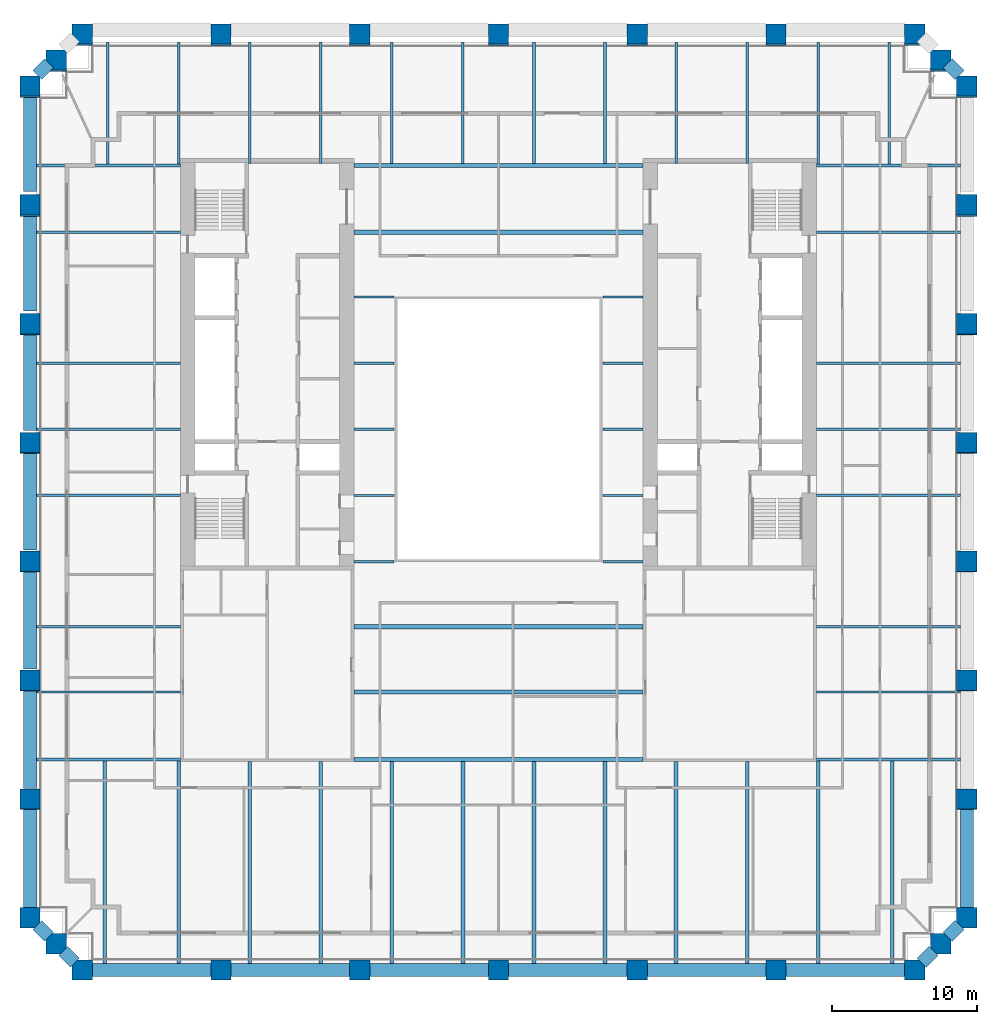
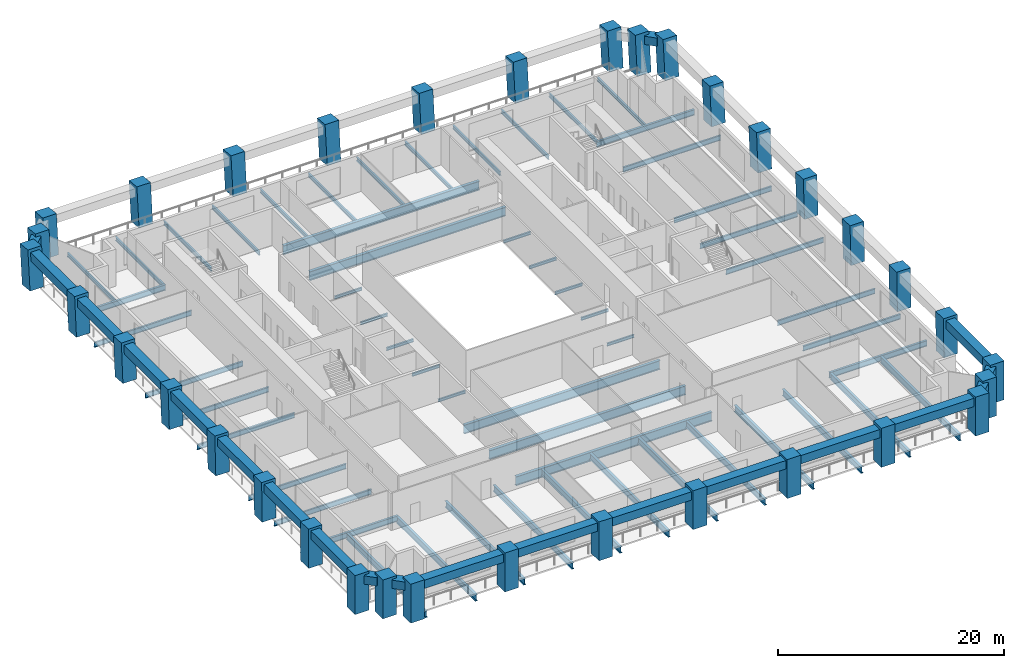
# One storey, part 1 of 10: 75 beams, 34 columns.
"""IFC4 building model written with IfcOpenShell, lengths in metres."""

from ifc_helpers import new_model, si_unit, direction, frame, origin, origin_2d, place, context, subcontext, project, spatial, rectangle, i_section, extrude, material, material_profile, profile_set, type_object, element, save


model = new_model("IFC4")

# Units and contexts
model_context = context("Model", 3, precision=1e-05, world=origin(), true_north=direction((0.0, 1.0)))
body_context = subcontext(model_context, "Body", "Model", "MODEL_VIEW")
ifc_project = project(units=[si_unit("LENGTHUNIT", "METRE"), si_unit("AREAUNIT", "SQUARE_METRE"), si_unit("VOLUMEUNIT", "CUBIC_METRE"), si_unit("PLANEANGLEUNIT", "RADIAN"), si_unit("MASSUNIT", "GRAM", prefix="KILO")], contexts=[model_context])

# Site, building, storey
site_placement = place(None, origin())
site = spatial("IfcSite", under=ifc_project, at=site_placement, CompositionType="ELEMENT")
building_placement = place(site_placement, origin())
building = spatial("IfcBuilding", under=site, at=building_placement, Name="Ogive Exchange Tower", CompositionType="ELEMENT")
storey_placement = place(building_placement, frame((0.0, 0.0, 64.800048828125)))
storey = spatial("IfcBuildingStorey", under=building, at=storey_placement, Name="L13", CompositionType="ELEMENT", Elevation=64.800048828125)

# Columns
ifc_material_1 = material(Name="Precast concrete C70/85 (limestone faced)", Category="masonry")
ifc_material_profile_1 = material_profile(ifc_material_1, rectangle(XDim=1.39990234375, YDim=1.39990234375, at=origin_2d()), Name="1400 x 1400")
ifc_profile_set_1 = profile_set([ifc_material_profile_1], Name="Precast concrete C70/85 (limestone faced)")
column_type = type_object("IfcColumnType", Name="Precast exoskeleton leg 1400 x 1400 C70/85", PredefinedType="COLUMN", material=ifc_profile_set_1)
for number, where, z_axis, x_axis, name in (
    (1, (-28.800048828125, -30.39990234375, 0.0), (0.0, 0.0, 1.0), (1.0, 0.0, 0.0), "Exoskeleton leg 1"),
    (2, (-19.199951171875, -30.39990234375, 0.0), (0.0, 0.0, 1.0), (1.0, 0.0, 0.0), "Exoskeleton leg 2"),
    (3, (-9.60009765625, -30.39990234375, 0.0), (0.0, 0.0, 1.0), (1.0, 0.0, 0.0), "Exoskeleton leg 3"),
    (4, (0.0, -30.39990234375, 0.0), (0.0, 0.0, 1.0), (1.0, 0.0, 0.0), "Exoskeleton leg 4"),
    (5, (9.60009765625, -30.39990234375, 0.0), (0.0, 0.0, 1.0), (1.0, 0.0, 0.0), "Exoskeleton leg 5"),
    (6, (19.199951171875, -30.39990234375, 0.0), (0.0, 0.0, 1.0), (1.0, 0.0, 0.0), "Exoskeleton leg 6"),
    (7, (28.800048828125, -30.39990234375, 0.0), (0.0, 0.0, 1.0), (1.0, 0.0, 0.0), "Exoskeleton leg 7"),
    (8, (32.39990234375, -26.800048828125, 0.0), (0.0, 0.0, 1.0), (1.0, 0.0, 0.0), "Exoskeleton leg 8"),
):
    element("IfcColumn", number, at=place(storey_placement, frame(where, z_axis=z_axis, x_axis=x_axis)), inside=storey, type_object=column_type, Name=name, PredefinedType="COLUMN", context=body_context, shape_type="SweptSolid", body=[
        extrude(rectangle(XDim=1.39990234375, YDim=1.39990234375, at=origin_2d()), origin(), (0.0, 0.0, 1.0), 4.199951171875),
    ])
column_1_placement = place(storey_placement, frame((32.39990234375, -18.5947265625, 0.0), z_axis=(0.0, 0.012961766342, 0.999915992778), x_axis=(-1.0, 0.0, 0.0)))
element("IfcColumn", 9, at=column_1_placement, inside=storey, type_object=column_type, Name="Exoskeleton leg 9", PredefinedType="COLUMN", context=body_context, shape_type="SweptSolid", body=[
    extrude(rectangle(XDim=1.39990234375, YDim=1.39990234375, at=origin_2d()), origin(), (0.0, 0.0, 1.0), 4.2001953125),
])
column_2_placement = place(storey_placement, frame((32.39990234375, -10.3896484375, 0.0), z_axis=(0.0, 0.025975072843, 0.999662590873), x_axis=(-1.0, 0.0, 0.0)))
element("IfcColumn", 10, at=column_2_placement, inside=storey, type_object=column_type, Name="Exoskeleton leg 10", PredefinedType="COLUMN", context=body_context, shape_type="SweptSolid", body=[
    extrude(rectangle(XDim=1.39990234375, YDim=1.39990234375, at=origin_2d()), origin(), (0.0, 0.0, 1.0), 4.201416015625),
])
column_3_placement = place(storey_placement, frame((32.39990234375, -2.184326171875, 0.0), z_axis=(0.0, 0.038917190853, 0.999242439179), x_axis=(-1.0, 0.0, 0.0)))
element("IfcColumn", 11, at=column_3_placement, inside=storey, type_object=column_type, Name="Exoskeleton leg 11", PredefinedType="COLUMN", context=body_context, shape_type="SweptSolid", body=[
    extrude(rectangle(XDim=1.39990234375, YDim=1.39990234375, at=origin_2d()), origin(), (0.0, 0.0, 1.0), 4.203125),
])
column_4_placement = place(storey_placement, frame((32.39990234375, 6.020751953125, 0.0), z_axis=(0.0, 0.051897648879, 0.99865240902), x_axis=(-1.0, 0.0, 0.0)))
element("IfcColumn", 12, at=column_4_placement, inside=storey, type_object=column_type, Name="Exoskeleton leg 12", PredefinedType="COLUMN", context=body_context, shape_type="SweptSolid", body=[
    extrude(rectangle(XDim=1.39990234375, YDim=1.39990234375, at=origin_2d()), origin(), (0.0, 0.0, 1.0), 4.20556640625),
])
column_5_placement = place(storey_placement, frame((32.39990234375, 14.22607421875, 0.0), z_axis=(0.0, 0.064794093908, 0.997898654872), x_axis=(-1.0, 0.0, 0.0)))
element("IfcColumn", 13, at=column_5_placement, inside=storey, type_object=column_type, Name="Exoskeleton leg 13", PredefinedType="COLUMN", context=body_context, shape_type="SweptSolid", body=[
    extrude(rectangle(XDim=1.39990234375, YDim=1.39990234375, at=origin_2d()), origin(), (0.0, 0.0, 1.0), 4.208740234375),
])
column_6_placement = place(storey_placement, frame((32.39990234375, 22.43115234375, 0.0), z_axis=(0.0, 0.077658156178, 0.996980045326), x_axis=(-1.0, 0.0, 0.0)))
element("IfcColumn", 14, at=column_6_placement, inside=storey, type_object=column_type, Name="Exoskeleton leg 14", PredefinedType="COLUMN", context=body_context, shape_type="SweptSolid", body=[
    extrude(rectangle(XDim=1.39990234375, YDim=1.39990234375, at=origin_2d()), origin(), (0.0, 0.0, 1.0), 4.212646484375),
])
for number, where, z_axis, x_axis, name in (
    (15, (32.39990234375, 30.636474609375, 0.0), (0.0, 0.090540965689, 0.995892731941), (-1.0, 0.0, 0.0), "Exoskeleton leg 15"),
    (16, (28.800048828125, 34.236328125, 0.0), (0.0, 0.090540965689, 0.995892731941), (-1.0, 0.0, 0.0), "Exoskeleton leg 16"),
    (17, (19.199951171875, 34.236328125, 0.0), (0.0, 0.090540965689, 0.995892731941), (-1.0, 0.0, 0.0), "Exoskeleton leg 17"),
    (18, (9.60009765625, 34.236328125, 0.0), (0.0, 0.090540965689, 0.995892731941), (-1.0, 0.0, 0.0), "Exoskeleton leg 18"),
    (19, (0.0, 34.236328125, 0.0), (0.0, 0.090540965689, 0.995892731941), (-1.0, 0.0, 0.0), "Exoskeleton leg 19"),
    (20, (-9.60009765625, 34.236328125, 0.0), (0.0, 0.090540965689, 0.995892731941), (-1.0, 0.0, 0.0), "Exoskeleton leg 20"),
    (21, (-19.199951171875, 34.236328125, 0.0), (0.0, 0.090540965689, 0.995892731941), (-1.0, 0.0, 0.0), "Exoskeleton leg 21"),
    (22, (-28.800048828125, 34.236328125, 0.0), (0.0, 0.090540965689, 0.995892731941), (-1.0, 0.0, 0.0), "Exoskeleton leg 22"),
    (23, (-32.39990234375, 30.636474609375, 0.0), (0.0, 0.090540965689, 0.995892731941), (-1.0, 0.0, 0.0), "Exoskeleton leg 23"),
):
    element("IfcColumn", number, at=place(storey_placement, frame(where, z_axis=z_axis, x_axis=x_axis)), inside=storey, type_object=column_type, Name=name, PredefinedType="COLUMN", context=body_context, shape_type="SweptSolid", body=[
        extrude(rectangle(XDim=1.39990234375, YDim=1.39990234375, at=origin_2d()), origin(), (0.0, 0.0, 1.0), 4.21728515625),
    ])
column_7_placement = place(storey_placement, frame((-32.39990234375, 22.43115234375, 0.0), z_axis=(0.0, 0.077658156178, 0.996980045326), x_axis=(-1.0, 0.0, 0.0)))
element("IfcColumn", 24, at=column_7_placement, inside=storey, type_object=column_type, Name="Exoskeleton leg 24", PredefinedType="COLUMN", context=body_context, shape_type="SweptSolid", body=[
    extrude(rectangle(XDim=1.39990234375, YDim=1.39990234375, at=origin_2d()), origin(), (0.0, 0.0, 1.0), 4.212646484375),
])
column_8_placement = place(storey_placement, frame((-32.39990234375, 14.22607421875, 0.0), z_axis=(0.0, 0.064794093908, 0.997898654872), x_axis=(-1.0, 0.0, 0.0)))
element("IfcColumn", 25, at=column_8_placement, inside=storey, type_object=column_type, Name="Exoskeleton leg 25", PredefinedType="COLUMN", context=body_context, shape_type="SweptSolid", body=[
    extrude(rectangle(XDim=1.39990234375, YDim=1.39990234375, at=origin_2d()), origin(), (0.0, 0.0, 1.0), 4.208740234375),
])
column_9_placement = place(storey_placement, frame((-32.39990234375, 6.020751953125, 0.0), z_axis=(0.0, 0.051897648879, 0.99865240902), x_axis=(-1.0, 0.0, 0.0)))
element("IfcColumn", 26, at=column_9_placement, inside=storey, type_object=column_type, Name="Exoskeleton leg 26", PredefinedType="COLUMN", context=body_context, shape_type="SweptSolid", body=[
    extrude(rectangle(XDim=1.39990234375, YDim=1.39990234375, at=origin_2d()), origin(), (0.0, 0.0, 1.0), 4.20556640625),
])
column_10_placement = place(storey_placement, frame((-32.39990234375, -2.184326171875, 0.0), z_axis=(0.0, 0.038917190853, 0.999242439179), x_axis=(-1.0, 0.0, 0.0)))
element("IfcColumn", 27, at=column_10_placement, inside=storey, type_object=column_type, Name="Exoskeleton leg 27", PredefinedType="COLUMN", context=body_context, shape_type="SweptSolid", body=[
    extrude(rectangle(XDim=1.39990234375, YDim=1.39990234375, at=origin_2d()), origin(), (0.0, 0.0, 1.0), 4.203125),
])
column_11_placement = place(storey_placement, frame((-32.39990234375, -10.3896484375, 0.0), z_axis=(0.0, 0.025975072843, 0.999662590873), x_axis=(-1.0, 0.0, 0.0)))
element("IfcColumn", 28, at=column_11_placement, inside=storey, type_object=column_type, Name="Exoskeleton leg 28", PredefinedType="COLUMN", context=body_context, shape_type="SweptSolid", body=[
    extrude(rectangle(XDim=1.39990234375, YDim=1.39990234375, at=origin_2d()), origin(), (0.0, 0.0, 1.0), 4.201416015625),
])
column_12_placement = place(storey_placement, frame((-32.39990234375, -18.5947265625, 0.0), z_axis=(0.0, 0.012961766342, 0.999915992778), x_axis=(-1.0, 0.0, 0.0)))
element("IfcColumn", 29, at=column_12_placement, inside=storey, type_object=column_type, Name="Exoskeleton leg 29", PredefinedType="COLUMN", context=body_context, shape_type="SweptSolid", body=[
    extrude(rectangle(XDim=1.39990234375, YDim=1.39990234375, at=origin_2d()), origin(), (0.0, 0.0, 1.0), 4.2001953125),
])
for number, where, z_axis, x_axis, name in (
    (30, (-32.39990234375, -26.800048828125, 0.0), (0.0, 0.0, 1.0), (1.0, 0.0, 0.0), "Exoskeleton leg 30"),
    (31, (30.60009765625, -28.60009765625, 0.0), (0.0, 0.0, 1.0), (1.0, 0.0, 0.0), "Exoskeleton leg 31"),
):
    element("IfcColumn", number, at=place(storey_placement, frame(where, z_axis=z_axis, x_axis=x_axis)), inside=storey, type_object=column_type, Name=name, PredefinedType="COLUMN", context=body_context, shape_type="SweptSolid", body=[
        extrude(rectangle(XDim=1.39990234375, YDim=1.39990234375, at=origin_2d()), origin(), (0.0, 0.0, 1.0), 4.199951171875),
    ])
for number, where, z_axis, x_axis, name in (
    (32, (30.60009765625, 32.436279296875, 0.0), (0.0, 0.090540965689, 0.995892731941), (-1.0, 0.0, 0.0), "Exoskeleton leg 32"),
    (33, (-30.60009765625, 32.436279296875, 0.0), (0.0, 0.090540965689, 0.995892731941), (-1.0, 0.0, 0.0), "Exoskeleton leg 33"),
):
    element("IfcColumn", number, at=place(storey_placement, frame(where, z_axis=z_axis, x_axis=x_axis)), inside=storey, type_object=column_type, Name=name, PredefinedType="COLUMN", context=body_context, shape_type="SweptSolid", body=[
        extrude(rectangle(XDim=1.39990234375, YDim=1.39990234375, at=origin_2d()), origin(), (0.0, 0.0, 1.0), 4.21728515625),
    ])
column_13_placement = place(storey_placement, frame((-30.60009765625, -28.60009765625, 0.0), z_axis=(0.0, 0.0, 1.0), x_axis=(1.0, 0.0, 0.0)))
element("IfcColumn", 34, at=column_13_placement, inside=storey, type_object=column_type, Name="Exoskeleton leg 34", PredefinedType="COLUMN", context=body_context, shape_type="SweptSolid", body=[
    extrude(rectangle(XDim=1.39990234375, YDim=1.39990234375, at=origin_2d()), origin(), (0.0, 0.0, 1.0), 4.199951171875),
])

# Beams
ifc_material_2 = material(Name="Steel ASTM A992 Gr50", Category="steel")
ifc_material_profile_2 = material_profile(ifc_material_2, i_section(OverallWidth=0.300048828125, OverallDepth=0.969970703125, WebThickness=0.01611328125, FlangeThickness=0.02099609375, at=origin_2d()), Name="W1000x222")
ifc_profile_set_2 = profile_set([ifc_material_profile_2], Name="Steel ASTM A992 Gr50")
beam_type_1 = type_object("IfcBeamType", Name="Floor beam W1000x222", PredefinedType="JOIST", material=ifc_profile_set_2)
for number, where, z_axis, x_axis, name in (
    (35, (-10.0, -11.17822265625, -0.68505859375), (1.0, 0.0, 0.0), (0.0, 1.0, 0.0), "Floor beam"),
    (36, (-10.0, -6.666748046875, -0.68505859375), (1.0, 0.0, 0.0), (0.0, 1.0, 0.0), "Floor beam"),
    (37, (-10.0, 20.62255859375, -0.68505859375), (1.0, 0.0, 0.0), (0.0, 1.0, 0.0), "Floor beam"),
):
    element("IfcBeam", number, at=place(storey_placement, frame(where, z_axis=z_axis, x_axis=x_axis)), inside=storey, type_object=beam_type_1, Name=name, PredefinedType="JOIST", context=body_context, shape_type="SweptSolid", body=[
        extrude(i_section(OverallWidth=0.300048828125, OverallDepth=0.969970703125, WebThickness=0.01611328125, FlangeThickness=0.02099609375, at=origin_2d()), origin(), (0.0, 0.0, 1.0), 20.0),
    ])
ifc_material_profile_3 = material_profile(ifc_material_2, i_section(OverallWidth=0.1650390625, OverallDepth=0.31005859375, WebThickness=0.005859375, FlangeThickness=0.009765625, at=origin_2d()), Name="W310x38.7")
ifc_profile_set_3 = profile_set([ifc_material_profile_3], Name="Steel ASTM A992 Gr50")
beam_type_2 = type_object("IfcBeamType", Name="Floor beam W310x38.7", PredefinedType="JOIST", material=ifc_profile_set_3)
for number, where, z_axis, x_axis, name in (
    (38, (-10.0, 2.422607421875, -0.35498046875), (1.0, 0.0, 0.0), (0.0, 1.0, 0.0), "Floor beam"),
    (39, (7.219970703125, 2.422607421875, -0.35498046875), (1.0, 0.0, 0.0), (0.0, 1.0, 0.0), "Floor beam"),
    (40, (-10.0, 7.0, -0.35498046875), (1.0, 0.0, 0.0), (0.0, 1.0, 0.0), "Floor beam"),
    (41, (7.219970703125, 7.0, -0.35498046875), (1.0, 0.0, 0.0), (0.0, 1.0, 0.0), "Floor beam"),
    (42, (-10.0, 11.577392578125, -0.35498046875), (1.0, 0.0, 0.0), (0.0, 1.0, 0.0), "Floor beam"),
    (43, (7.219970703125, 11.577392578125, -0.35498046875), (1.0, 0.0, 0.0), (0.0, 1.0, 0.0), "Floor beam"),
):
    element("IfcBeam", number, at=place(storey_placement, frame(where, z_axis=z_axis, x_axis=x_axis)), inside=storey, type_object=beam_type_2, Name=name, PredefinedType="JOIST", context=body_context, shape_type="SweptSolid", body=[
        extrude(i_section(OverallWidth=0.1650390625, OverallDepth=0.31005859375, WebThickness=0.005859375, FlangeThickness=0.009765625, at=origin_2d()), origin(), (0.0, 0.0, 1.0), 2.780029296875),
    ])
ifc_material_profile_4 = material_profile(ifc_material_2, i_section(OverallWidth=0.177978515625, OverallDepth=0.406005859375, WebThickness=0.0078125, FlangeThickness=0.0126953125, at=origin_2d()), Name="W410x60")
ifc_profile_set_4 = profile_set([ifc_material_profile_4], Name="Steel ASTM A992 Gr50")
beam_type_3 = type_object("IfcBeamType", Name="Floor beam W410x60", PredefinedType="JOIST", material=ifc_profile_set_4)
for number, where, z_axis, x_axis, name in (
    (44, (-27.03466796875, 25.35888671875, -0.403076171875), (0.0, 1.0, 0.0), (-1.0, 0.0, 0.0), "Floor beam"),
    (45, (-22.119140625, 25.35888671875, -0.403076171875), (0.0, 1.0, 0.0), (-1.0, 0.0, 0.0), "Floor beam"),
):
    element("IfcBeam", number, at=place(storey_placement, frame(where, z_axis=z_axis, x_axis=x_axis)), inside=storey, type_object=beam_type_3, Name=name, PredefinedType="JOIST", context=body_context, shape_type="SweptSolid", body=[
        extrude(i_section(OverallWidth=0.177978515625, OverallDepth=0.406005859375, WebThickness=0.0078125, FlangeThickness=0.0126953125, at=origin_2d()), origin(), (0.0, 0.0, 1.0), 8.427490234375),
    ])
for number, where, z_axis, x_axis, name in (
    (46, (-17.203857421875, 25.39990234375, -0.403076171875), (0.0, 1.0, 0.0), (-1.0, 0.0, 0.0), "Floor beam"),
    (47, (-12.28857421875, 25.39990234375, -0.403076171875), (0.0, 1.0, 0.0), (-1.0, 0.0, 0.0), "Floor beam"),
):
    element("IfcBeam", number, at=place(storey_placement, frame(where, z_axis=z_axis, x_axis=x_axis)), inside=storey, type_object=beam_type_3, Name=name, PredefinedType="JOIST", context=body_context, shape_type="SweptSolid", body=[
        extrude(i_section(OverallWidth=0.177978515625, OverallDepth=0.406005859375, WebThickness=0.0078125, FlangeThickness=0.0126953125, at=origin_2d()), origin(), (0.0, 0.0, 1.0), 8.386474609375),
    ])
for number, where, z_axis, x_axis, name in (
    (48, (-7.373046875, 25.39501953125, -0.403076171875), (0.0, 1.0, 0.0), (-1.0, 0.0, 0.0), "Floor beam"),
    (49, (-2.457763671875, 25.39501953125, -0.403076171875), (0.0, 1.0, 0.0), (-1.0, 0.0, 0.0), "Floor beam"),
    (50, (2.457763671875, 25.39501953125, -0.403076171875), (0.0, 1.0, 0.0), (-1.0, 0.0, 0.0), "Floor beam"),
    (51, (7.373046875, 25.39501953125, -0.403076171875), (0.0, 1.0, 0.0), (-1.0, 0.0, 0.0), "Floor beam"),
):
    element("IfcBeam", number, at=place(storey_placement, frame(where, z_axis=z_axis, x_axis=x_axis)), inside=storey, type_object=beam_type_3, Name=name, PredefinedType="JOIST", context=body_context, shape_type="SweptSolid", body=[
        extrude(i_section(OverallWidth=0.177978515625, OverallDepth=0.406005859375, WebThickness=0.0078125, FlangeThickness=0.0126953125, at=origin_2d()), origin(), (0.0, 0.0, 1.0), 8.391357421875),
    ])
for number, where, z_axis, x_axis, name in (
    (52, (12.28857421875, 25.39990234375, -0.403076171875), (0.0, 1.0, 0.0), (-1.0, 0.0, 0.0), "Floor beam"),
    (53, (17.203857421875, 25.39990234375, -0.403076171875), (0.0, 1.0, 0.0), (-1.0, 0.0, 0.0), "Floor beam"),
):
    element("IfcBeam", number, at=place(storey_placement, frame(where, z_axis=z_axis, x_axis=x_axis)), inside=storey, type_object=beam_type_3, Name=name, PredefinedType="JOIST", context=body_context, shape_type="SweptSolid", body=[
        extrude(i_section(OverallWidth=0.177978515625, OverallDepth=0.406005859375, WebThickness=0.0078125, FlangeThickness=0.0126953125, at=origin_2d()), origin(), (0.0, 0.0, 1.0), 8.386474609375),
    ])
for number, where, z_axis, x_axis, name in (
    (54, (22.119140625, 25.35888671875, -0.403076171875), (0.0, 1.0, 0.0), (-1.0, 0.0, 0.0), "Floor beam"),
    (55, (27.03466796875, 25.35888671875, -0.403076171875), (0.0, 1.0, 0.0), (-1.0, 0.0, 0.0), "Floor beam"),
):
    element("IfcBeam", number, at=place(storey_placement, frame(where, z_axis=z_axis, x_axis=x_axis)), inside=storey, type_object=beam_type_3, Name=name, PredefinedType="JOIST", context=body_context, shape_type="SweptSolid", body=[
        extrude(i_section(OverallWidth=0.177978515625, OverallDepth=0.406005859375, WebThickness=0.0078125, FlangeThickness=0.0126953125, at=origin_2d()), origin(), (0.0, 0.0, 1.0), 8.427490234375),
    ])
ifc_material_profile_5 = material_profile(ifc_material_2, i_section(OverallWidth=0.1669921875, OverallDepth=0.535888671875, WebThickness=0.01025390625, FlangeThickness=0.0166015625, at=origin_2d()), Name="W530x85")
ifc_profile_set_5 = profile_set([ifc_material_profile_5], Name="Steel ASTM A992 Gr50")
beam_type_4 = type_object("IfcBeamType", Name="Floor beam W530x85", PredefinedType="JOIST", material=ifc_profile_set_5)
for number, where, z_axis, x_axis, name in (
    (56, (-31.949951171875, -11.17822265625, -0.468017578125), (1.0, 0.0, 0.0), (0.0, 1.0, 0.0), "Floor beam"),
    (57, (22.0, -11.17822265625, -0.468017578125), (1.0, 0.0, 0.0), (0.0, 1.0, 0.0), "Floor beam"),
    (58, (-31.949951171875, -6.666748046875, -0.468017578125), (1.0, 0.0, 0.0), (0.0, 1.0, 0.0), "Floor beam"),
    (59, (22.0, -6.666748046875, -0.468017578125), (1.0, 0.0, 0.0), (0.0, 1.0, 0.0), "Floor beam"),
    (60, (-31.949951171875, 2.422607421875, -0.468017578125), (1.0, 0.0, 0.0), (0.0, 1.0, 0.0), "Floor beam"),
    (61, (22.0, 2.422607421875, -0.468017578125), (1.0, 0.0, 0.0), (0.0, 1.0, 0.0), "Floor beam"),
    (62, (-31.949951171875, 7.0, -0.468017578125), (1.0, 0.0, 0.0), (0.0, 1.0, 0.0), "Floor beam"),
    (63, (22.0, 7.0, -0.468017578125), (1.0, 0.0, 0.0), (0.0, 1.0, 0.0), "Floor beam"),
    (64, (-31.949951171875, 11.577392578125, -0.468017578125), (1.0, 0.0, 0.0), (0.0, 1.0, 0.0), "Floor beam"),
    (65, (22.0, 11.577392578125, -0.468017578125), (1.0, 0.0, 0.0), (0.0, 1.0, 0.0), "Floor beam"),
    (66, (-31.949951171875, 20.62255859375, -0.468017578125), (1.0, 0.0, 0.0), (0.0, 1.0, 0.0), "Floor beam"),
    (67, (22.0, 20.62255859375, -0.468017578125), (1.0, 0.0, 0.0), (0.0, 1.0, 0.0), "Floor beam"),
):
    element("IfcBeam", number, at=place(storey_placement, frame(where, z_axis=z_axis, x_axis=x_axis)), inside=storey, type_object=beam_type_4, Name=name, PredefinedType="JOIST", context=body_context, shape_type="SweptSolid", body=[
        extrude(i_section(OverallWidth=0.1669921875, OverallDepth=0.535888671875, WebThickness=0.01025390625, FlangeThickness=0.0166015625, at=origin_2d()), origin(), (0.0, 0.0, 1.0), 9.949951171875),
    ])
ifc_material_profile_6 = material_profile(ifc_material_2, i_section(OverallWidth=0.25390625, OverallDepth=0.677978515625, WebThickness=0.01171875, FlangeThickness=0.016357421875, at=origin_2d()), Name="W690x125")
ifc_profile_set_6 = profile_set([ifc_material_profile_6], Name="Steel ASTM A992 Gr50")
beam_type_5 = type_object("IfcBeamType", Name="Floor beam W690x125", PredefinedType="JOIST", material=ifc_profile_set_6)
for number, where, z_axis, x_axis, name in (
    (68, (-27.234619140625, -29.949951171875, -0.5390625), (0.0, 1.0, 0.0), (-1.0, 0.0, 0.0), "Floor beam"),
    (69, (-22.119140625, -29.949951171875, -0.5390625), (0.0, 1.0, 0.0), (-1.0, 0.0, 0.0), "Floor beam"),
):
    element("IfcBeam", number, at=place(storey_placement, frame(where, z_axis=z_axis, x_axis=x_axis)), inside=storey, type_object=beam_type_5, Name=name, PredefinedType="JOIST", context=body_context, shape_type="SweptSolid", body=[
        extrude(i_section(OverallWidth=0.25390625, OverallDepth=0.677978515625, WebThickness=0.01171875, FlangeThickness=0.016357421875, at=origin_2d()), origin(), (0.0, 0.0, 1.0), 13.990966796875),
    ])
for number, where, z_axis, x_axis, name in (
    (70, (-17.203857421875, -29.949951171875, -0.5390625), (0.0, 1.0, 0.0), (-1.0, 0.0, 0.0), "Floor beam"),
    (71, (-12.28857421875, -29.949951171875, -0.5390625), (0.0, 1.0, 0.0), (-1.0, 0.0, 0.0), "Floor beam"),
):
    element("IfcBeam", number, at=place(storey_placement, frame(where, z_axis=z_axis, x_axis=x_axis)), inside=storey, type_object=beam_type_5, Name=name, PredefinedType="JOIST", context=body_context, shape_type="SweptSolid", body=[
        extrude(i_section(OverallWidth=0.25390625, OverallDepth=0.677978515625, WebThickness=0.01171875, FlangeThickness=0.016357421875, at=origin_2d()), origin(), (0.0, 0.0, 1.0), 13.949951171875),
    ])
for number, where, z_axis, x_axis, name in (
    (72, (-7.373046875, -29.949951171875, -0.5390625), (0.0, 1.0, 0.0), (-1.0, 0.0, 0.0), "Floor beam"),
    (73, (-2.457763671875, -29.949951171875, -0.5390625), (0.0, 1.0, 0.0), (-1.0, 0.0, 0.0), "Floor beam"),
    (74, (2.457763671875, -29.949951171875, -0.5390625), (0.0, 1.0, 0.0), (-1.0, 0.0, 0.0), "Floor beam"),
    (75, (7.373046875, -29.949951171875, -0.5390625), (0.0, 1.0, 0.0), (-1.0, 0.0, 0.0), "Floor beam"),
):
    element("IfcBeam", number, at=place(storey_placement, frame(where, z_axis=z_axis, x_axis=x_axis)), inside=storey, type_object=beam_type_5, Name=name, PredefinedType="JOIST", context=body_context, shape_type="SweptSolid", body=[
        extrude(i_section(OverallWidth=0.25390625, OverallDepth=0.677978515625, WebThickness=0.01171875, FlangeThickness=0.016357421875, at=origin_2d()), origin(), (0.0, 0.0, 1.0), 13.954833984375),
    ])
for number, where, z_axis, x_axis, name in (
    (76, (12.28857421875, -29.949951171875, -0.5390625), (0.0, 1.0, 0.0), (-1.0, 0.0, 0.0), "Floor beam"),
    (77, (17.203857421875, -29.949951171875, -0.5390625), (0.0, 1.0, 0.0), (-1.0, 0.0, 0.0), "Floor beam"),
):
    element("IfcBeam", number, at=place(storey_placement, frame(where, z_axis=z_axis, x_axis=x_axis)), inside=storey, type_object=beam_type_5, Name=name, PredefinedType="JOIST", context=body_context, shape_type="SweptSolid", body=[
        extrude(i_section(OverallWidth=0.25390625, OverallDepth=0.677978515625, WebThickness=0.01171875, FlangeThickness=0.016357421875, at=origin_2d()), origin(), (0.0, 0.0, 1.0), 13.949951171875),
    ])
for number, where, z_axis, x_axis, name in (
    (78, (22.119140625, -29.949951171875, -0.5390625), (0.0, 1.0, 0.0), (-1.0, 0.0, 0.0), "Floor beam"),
    (79, (27.234619140625, -29.949951171875, -0.5390625), (0.0, 1.0, 0.0), (-1.0, 0.0, 0.0), "Floor beam"),
):
    element("IfcBeam", number, at=place(storey_placement, frame(where, z_axis=z_axis, x_axis=x_axis)), inside=storey, type_object=beam_type_5, Name=name, PredefinedType="JOIST", context=body_context, shape_type="SweptSolid", body=[
        extrude(i_section(OverallWidth=0.25390625, OverallDepth=0.677978515625, WebThickness=0.01171875, FlangeThickness=0.016357421875, at=origin_2d()), origin(), (0.0, 0.0, 1.0), 13.990966796875),
    ])
ifc_material_profile_7 = material_profile(ifc_material_2, i_section(OverallWidth=0.300048828125, OverallDepth=0.97998046875, WebThickness=0.0166015625, FlangeThickness=0.026123046875, at=origin_2d()), Name="W1000x249")
ifc_profile_set_7 = profile_set([ifc_material_profile_7], Name="Steel ASTM A992 Gr50")
beam_type_6 = type_object("IfcBeamType", Name="Girder W1000x249", PredefinedType="BEAM", material=ifc_profile_set_7)
for number, where, z_axis, x_axis, name in (
    (80, (-10.0, -15.844970703125, -0.68994140625), (1.0, 0.0, 0.0), (0.0, 1.0, 0.0), "Header girder"),
    (81, (-10.0, 25.2451171875, -0.68994140625), (1.0, 0.0, 0.0), (0.0, 1.0, 0.0), "Header girder"),
):
    element("IfcBeam", number, at=place(storey_placement, frame(where, z_axis=z_axis, x_axis=x_axis)), inside=storey, type_object=beam_type_6, Name=name, PredefinedType="BEAM", context=body_context, shape_type="SweptSolid", body=[
        extrude(i_section(OverallWidth=0.300048828125, OverallDepth=0.97998046875, WebThickness=0.0166015625, FlangeThickness=0.026123046875, at=origin_2d()), origin(), (0.0, 0.0, 1.0), 20.0),
    ])
ifc_material_profile_8 = material_profile(ifc_material_2, i_section(OverallWidth=0.1650390625, OverallDepth=0.31005859375, WebThickness=0.005859375, FlangeThickness=0.009765625, at=origin_2d()), Name="W310x38.7")
ifc_profile_set_8 = profile_set([ifc_material_profile_8], Name="Steel ASTM A992 Gr50")
beam_type_7 = type_object("IfcBeamType", Name="Girder W310x38.7", PredefinedType="BEAM", material=ifc_profile_set_8)
for number, where, z_axis, x_axis, name in (
    (82, (-10.0, -2.155029296875, -0.35498046875), (1.0, 0.0, 0.0), (0.0, 1.0, 0.0), "Trimmer girder"),
    (83, (7.219970703125, -2.155029296875, -0.35498046875), (1.0, 0.0, 0.0), (0.0, 1.0, 0.0), "Trimmer girder"),
    (84, (-10.0, 16.155029296875, -0.35498046875), (1.0, 0.0, 0.0), (0.0, 1.0, 0.0), "Trimmer girder"),
    (85, (7.219970703125, 16.155029296875, -0.35498046875), (1.0, 0.0, 0.0), (0.0, 1.0, 0.0), "Trimmer girder"),
):
    element("IfcBeam", number, at=place(storey_placement, frame(where, z_axis=z_axis, x_axis=x_axis)), inside=storey, type_object=beam_type_7, Name=name, PredefinedType="BEAM", context=body_context, shape_type="SweptSolid", body=[
        extrude(i_section(OverallWidth=0.1650390625, OverallDepth=0.31005859375, WebThickness=0.005859375, FlangeThickness=0.009765625, at=origin_2d()), origin(), (0.0, 0.0, 1.0), 2.780029296875),
    ])
ifc_material_profile_9 = material_profile(ifc_material_2, i_section(OverallWidth=0.22802734375, OverallDepth=0.60205078125, WebThickness=0.010498046875, FlangeThickness=0.014892578125, at=origin_2d()), Name="W610x101")
ifc_profile_set_9 = profile_set([ifc_material_profile_9], Name="Steel ASTM A992 Gr50")
beam_type_8 = type_object("IfcBeamType", Name="Girder W610x101", PredefinedType="BEAM", material=ifc_profile_set_9)
for number, where, z_axis, x_axis, name in (
    (86, (-31.949951171875, -15.844970703125, -0.5009765625), (1.0, 0.0, 0.0), (0.0, 1.0, 0.0), "Header girder"),
    (87, (22.0, -15.844970703125, -0.5009765625), (1.0, 0.0, 0.0), (0.0, 1.0, 0.0), "Header girder"),
    (88, (-31.949951171875, 25.2451171875, -0.5009765625), (1.0, 0.0, 0.0), (0.0, 1.0, 0.0), "Header girder"),
    (89, (22.0, 25.2451171875, -0.5009765625), (1.0, 0.0, 0.0), (0.0, 1.0, 0.0), "Header girder"),
):
    element("IfcBeam", number, at=place(storey_placement, frame(where, z_axis=z_axis, x_axis=x_axis)), inside=storey, type_object=beam_type_8, Name=name, PredefinedType="BEAM", context=body_context, shape_type="SweptSolid", body=[
        extrude(i_section(OverallWidth=0.22802734375, OverallDepth=0.60205078125, WebThickness=0.010498046875, FlangeThickness=0.014892578125, at=origin_2d()), origin(), (0.0, 0.0, 1.0), 9.949951171875),
    ])
ifc_material_profile_10 = material_profile(ifc_material_1, rectangle(XDim=0.89990234375, YDim=0.89990234375, at=origin_2d()), Name="900 x 900")
ifc_profile_set_10 = profile_set([ifc_material_profile_10], Name="Precast concrete C70/85 (limestone faced)")
beam_type_9 = type_object("IfcBeamType", Name="Precast spandrel 900 x 900 C70/85", PredefinedType="SPANDREL", material=ifc_profile_set_10)
beam_1_placement = place(storey_placement, frame((-28.1201171875, -30.39990234375, 3.5), z_axis=(1.0, 0.0, 0.0), x_axis=(0.0, 1.0, 0.0)))
element("IfcBeam", 90, at=beam_1_placement, inside=storey, type_object=beam_type_9, Name="Spandrel 1", PredefinedType="SPANDREL", context=body_context, shape_type="SweptSolid", body=[
    extrude(rectangle(XDim=0.89990234375, YDim=0.89990234375, at=origin_2d()), origin(), (0.0, 0.0, 1.0), 8.240234375),
])
for number, where, z_axis, x_axis, name in (
    (91, (-18.52001953125, -30.39990234375, 3.5), (1.0, 0.0, 0.0), (0.0, 1.0, 0.0), "Spandrel 2"),
    (92, (-8.919921875, -30.39990234375, 3.5), (1.0, 0.0, 0.0), (0.0, 1.0, 0.0), "Spandrel 3"),
    (93, (0.679931640625, -30.39990234375, 3.5), (1.0, 0.0, 0.0), (0.0, 1.0, 0.0), "Spandrel 4"),
    (94, (10.280029296875, -30.39990234375, 3.5), (1.0, 0.0, 0.0), (0.0, 1.0, 0.0), "Spandrel 5"),
):
    element("IfcBeam", number, at=place(storey_placement, frame(where, z_axis=z_axis, x_axis=x_axis)), inside=storey, type_object=beam_type_9, Name=name, PredefinedType="SPANDREL", context=body_context, shape_type="SweptSolid", body=[
        extrude(rectangle(XDim=0.89990234375, YDim=0.89990234375, at=origin_2d()), origin(), (0.0, 0.0, 1.0), 8.239990234375),
    ])
beam_2_placement = place(storey_placement, frame((19.8798828125, -30.39990234375, 3.5), z_axis=(1.0, 0.0, 0.0), x_axis=(0.0, 1.0, 0.0)))
element("IfcBeam", 95, at=beam_2_placement, inside=storey, type_object=beam_type_9, Name="Spandrel 6", PredefinedType="SPANDREL", context=body_context, shape_type="SweptSolid", body=[
    extrude(rectangle(XDim=0.89990234375, YDim=0.89990234375, at=origin_2d()), origin(), (0.0, 0.0, 1.0), 8.240234375),
])
for number, where, z_axis, x_axis, name in (
    (96, (29.287841796875, -29.912109375, 3.5), (0.707106781187, 0.707106781187, 0.0), (-0.707106781187, 0.707106781187, 0.0), "Spandrel 7"),
    (97, (31.087890625, -28.112060546875, 3.5), (0.707106781187, 0.707106781187, 0.0), (-0.707106781187, 0.707106781187, 0.0), "Spandrel 8"),
):
    element("IfcBeam", number, at=place(storey_placement, frame(where, z_axis=z_axis, x_axis=x_axis)), inside=storey, type_object=beam_type_9, Name=name, PredefinedType="SPANDREL", context=body_context, shape_type="SweptSolid", body=[
        extrude(rectangle(XDim=0.89990234375, YDim=0.89990234375, at=origin_2d()), origin(), (0.0, 0.0, 1.0), 1.16552734375),
    ])
beam_3_placement = place(storey_placement, frame((32.39990234375, -26.1201171875, 3.5), z_axis=(0.0, 1.0, 0.0), x_axis=(-1.0, 0.0, 0.0)))
element("IfcBeam", 98, at=beam_3_placement, inside=storey, type_object=beam_type_9, Name="Spandrel 9", PredefinedType="SPANDREL", context=body_context, shape_type="SweptSolid", body=[
    extrude(rectangle(XDim=0.89990234375, YDim=0.89990234375, at=origin_2d()), origin(), (0.0, 0.0, 1.0), 6.89990234375),
])
for number, where, z_axis, x_axis, name in (
    (99, (31.912109375, 31.506103515625, 3.5), (-0.707106781187, 0.707106781187, 0.0), (-0.707106781187, -0.707106781187, 0.0), "Spandrel 16"),
    (100, (-31.087890625, 32.330322265625, 3.5), (-0.707106781187, -0.707106781187, 0.0), (0.707106781187, -0.707106781187, 0.0), "Spandrel 25"),
):
    element("IfcBeam", number, at=place(storey_placement, frame(where, z_axis=z_axis, x_axis=x_axis)), inside=storey, type_object=beam_type_9, Name=name, PredefinedType="SPANDREL", context=body_context, shape_type="SweptSolid", body=[
        extrude(rectangle(XDim=0.89990234375, YDim=0.89990234375, at=origin_2d()), origin(), (0.0, 0.0, 1.0), 1.16552734375),
    ])
for number, where, z_axis, x_axis, name in (
    (101, (-32.39990234375, 30.338134765625, 3.5), (0.0, -1.0, 0.0), (1.0, 0.0, 0.0), "Spandrel 26"),
    (102, (-32.39990234375, 22.078369140625, 3.5), (0.0, -1.0, 0.0), (1.0, 0.0, 0.0), "Spandrel 27"),
    (103, (-32.39990234375, 13.818603515625, 3.5), (0.0, -1.0, 0.0), (1.0, 0.0, 0.0), "Spandrel 28"),
):
    element("IfcBeam", number, at=place(storey_placement, frame(where, z_axis=z_axis, x_axis=x_axis)), inside=storey, type_object=beam_type_9, Name=name, PredefinedType="SPANDREL", context=body_context, shape_type="SweptSolid", body=[
        extrude(rectangle(XDim=0.89990234375, YDim=0.89990234375, at=origin_2d()), origin(), (0.0, 0.0, 1.0), 6.899658203125),
    ])
for number, where, z_axis, x_axis, name in (
    (104, (-32.39990234375, 5.55908203125, 3.5), (0.0, -1.0, 0.0), (1.0, 0.0, 0.0), "Spandrel 29"),
    (105, (-32.39990234375, -2.70068359375, 3.5), (0.0, -1.0, 0.0), (1.0, 0.0, 0.0), "Spandrel 30"),
    (106, (-32.39990234375, -10.96044921875, 3.5), (0.0, -1.0, 0.0), (1.0, 0.0, 0.0), "Spandrel 31"),
    (107, (-32.39990234375, -19.22021484375, 3.5), (0.0, -1.0, 0.0), (1.0, 0.0, 0.0), "Spandrel 32"),
):
    element("IfcBeam", number, at=place(storey_placement, frame(where, z_axis=z_axis, x_axis=x_axis)), inside=storey, type_object=beam_type_9, Name=name, PredefinedType="SPANDREL", context=body_context, shape_type="SweptSolid", body=[
        extrude(rectangle(XDim=0.89990234375, YDim=0.89990234375, at=origin_2d()), origin(), (0.0, 0.0, 1.0), 6.89990234375),
    ])
for number, where, z_axis, x_axis, name in (
    (108, (-31.912109375, -27.287841796875, 3.5), (0.707106781187, -0.707106781187, 0.0), (0.707106781187, 0.707106781187, 0.0), "Spandrel 33"),
    (109, (-30.112060546875, -29.087890625, 3.5), (0.707106781187, -0.707106781187, 0.0), (0.707106781187, 0.707106781187, 0.0), "Spandrel 34"),
):
    element("IfcBeam", number, at=place(storey_placement, frame(where, z_axis=z_axis, x_axis=x_axis)), inside=storey, type_object=beam_type_9, Name=name, PredefinedType="SPANDREL", context=body_context, shape_type="SweptSolid", body=[
        extrude(rectangle(XDim=0.89990234375, YDim=0.89990234375, at=origin_2d()), origin(), (0.0, 0.0, 1.0), 1.16552734375),
    ])

save(model, "model.ifc")
